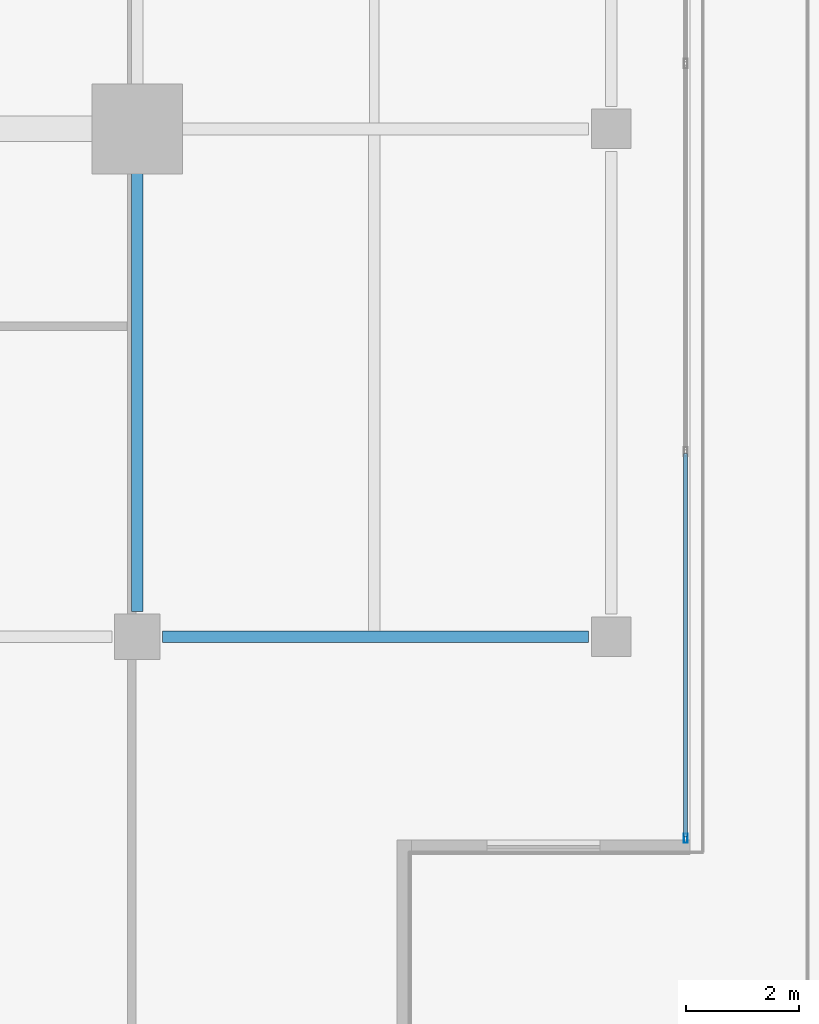
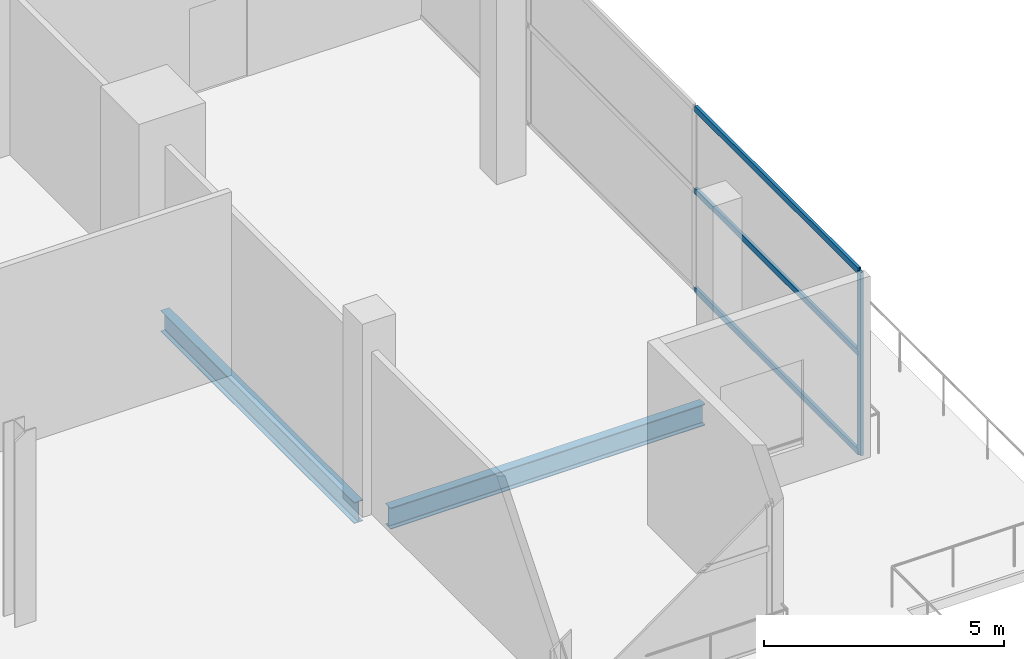
# One storey, part 11 of 28: 4 members, 2 beams, 1 element without a shape of its own.
"""IFC4 building model written with IfcOpenShell, lengths in metres."""

from ifc_helpers import new_model, si_unit, direction, frame, origin, origin_2d, place, context, subcontext, project, spatial, hollow_rectangle, i_section, extrude, material, layer, layer_set, material_profile, profile_set, type_object, element, aggregate, save


model = new_model("IFC4")

# Units and contexts
model_context = context("Model", 3, precision=1e-05, world=origin(), true_north=direction((0.0, 1.0)))
body_context = subcontext(model_context, "Body", "Model", "MODEL_VIEW")
ifc_project = project(units=[si_unit("LENGTHUNIT", "METRE"), si_unit("AREAUNIT", "SQUARE_METRE"), si_unit("VOLUMEUNIT", "CUBIC_METRE"), si_unit("PLANEANGLEUNIT", "RADIAN"), si_unit("MASSUNIT", "GRAM", prefix="KILO")], contexts=[model_context])

# Site, building, storey
site_placement = place(None, origin())
site = spatial("IfcSite", under=ifc_project, at=site_placement, CompositionType="ELEMENT")
building_placement = place(site_placement, origin())
building = spatial("IfcBuilding", under=site, at=building_placement, Name="Maruvema Waterfront Hotel and Observation Tower", CompositionType="ELEMENT")
storey_placement = place(building_placement, frame((0.0, 0.0, 234.5)))
storey = spatial("IfcBuildingStorey", under=building, at=storey_placement, Name="L57", CompositionType="ELEMENT", Elevation=234.5)

# Curtain wall, members
ifc_material_1 = material(Name="Anodised bronze aluminium and solar-control low-E IGU", Category="aluminium")
ifc_layer = layer(ifc_material_1, 0.159912109375, Name="Zone 3 Champagne Inner Thermal Curtain Wall System CW-04")
ifc_layer_set = layer_set([ifc_layer], Name="Anodised bronze aluminium and solar-control low-E IGU")
curtain_wall_type = type_object("IfcCurtainWallType", Name="Zone 3 Champagne Inner Thermal Curtain Wall System CW-04", PredefinedType="USERDEFINED", material=ifc_layer_set)
curtain_wall_placement = place(storey_placement, origin())
curtain_wall = element("IfcCurtainWall", 1, at=curtain_wall_placement, inside=storey, type_object=curtain_wall_type, Name="L57 Curtain Wall CW-L57-E", ObjectType="UNITISED CURTAIN WALL", PredefinedType="USERDEFINED")
ifc_material_2 = material(Name="Anodised architectural bronze aluminium", Category="aluminium")
ifc_material_profile_1 = material_profile(ifc_material_2, hollow_rectangle(XDim=0.070068359375, YDim=0.14990234375, WallThickness=0.00390625, at=origin_2d()), Name="ALU-T70x150")
ifc_profile_set_1 = profile_set([ifc_material_profile_1], Name="Anodised architectural bronze aluminium")
member_type_1 = type_object("IfcMemberType", Name="Curtain Wall Horizontal Transom ALU-T70x150", PredefinedType="USERDEFINED", material=ifc_profile_set_1)
member_1_placement = place(storey_placement, frame((60.1201171875, 14.4599609375, 0.030029296875), z_axis=(0.0, 1.0, 0.0), x_axis=(-1.0, 0.0, 0.0)))
member_1 = element("IfcMember", 2, at=member_1_placement, type_object=member_type_1, Name="CW-04 transom 1.1", ObjectType="TRANSOM", PredefinedType="USERDEFINED", context=body_context, shape_type="SweptSolid", body=[
    extrude(hollow_rectangle(XDim=0.070068359375, YDim=0.14990234375, WallThickness=0.00390625, at=origin_2d()), origin(), (0.0, 0.0, 1.0), 6.7900390625),
])
member_2_placement = place(storey_placement, frame((60.1201171875, 14.4599609375, 2.550048828125), z_axis=(0.0, 1.0, 0.0), x_axis=(-1.0, 0.0, 0.0)))
member_2 = element("IfcMember", 3, at=member_2_placement, type_object=member_type_1, Name="CW-04 transom 1.2", ObjectType="TRANSOM", PredefinedType="USERDEFINED", context=body_context, shape_type="SweptSolid", body=[
    extrude(hollow_rectangle(XDim=0.070068359375, YDim=0.14990234375, WallThickness=0.00390625, at=origin_2d()), origin(), (0.0, 0.0, 1.0), 6.7900390625),
])
member_3_placement = place(storey_placement, frame((60.1201171875, 14.4599609375, 4.6298828125), z_axis=(0.0, 1.0, 0.0), x_axis=(-1.0, 0.0, 0.0)))
member_3 = element("IfcMember", 4, at=member_3_placement, type_object=member_type_1, Name="CW-04 transom 1.3", ObjectType="TRANSOM", PredefinedType="USERDEFINED", context=body_context, shape_type="SweptSolid", body=[
    extrude(hollow_rectangle(XDim=0.070068359375, YDim=0.14990234375, WallThickness=0.00390625, at=origin_2d()), origin(), (0.0, 0.0, 1.0), 6.7900390625),
])
ifc_material_3 = material(Name="Anodised architectural bronze aluminium", Category="aluminium")
ifc_material_profile_2 = material_profile(ifc_material_3, hollow_rectangle(XDim=0.06494140625, YDim=0.1650390625, WallThickness=0.00390625, at=origin_2d()), Name="ALU-M65x165")
ifc_profile_set_2 = profile_set([ifc_material_profile_2], Name="Anodised architectural bronze aluminium")
member_type_2 = type_object("IfcMemberType", Name="Curtain Wall Primary Mullion ALU-M65x165", PredefinedType="MULLION", material=ifc_profile_set_2)
member_4_placement = place(storey_placement, frame((60.1201171875, 14.429931640625, 0.0), z_axis=(0.0, 0.0, 1.0), x_axis=(-1.0, 0.0, 0.0)))
member_4 = element("IfcMember", 5, at=member_4_placement, type_object=member_type_2, Name="CW-04 mullion 1", PredefinedType="MULLION", context=body_context, shape_type="SweptSolid", body=[
    extrude(hollow_rectangle(XDim=0.06494140625, YDim=0.1650390625, WallThickness=0.00390625, at=origin_2d()), origin(), (0.0, 0.0, 1.0), 4.659912109375),
])
aggregate(curtain_wall, [member_4, member_1, member_2, member_3])

# Beams
ifc_material_4 = material(Name="Steel ASTM A572 Grade 50", Category="steel")
ifc_material_profile_3 = material_profile(ifc_material_4, i_section(OverallWidth=0.2109375, OverallDepth=0.5390625, WebThickness=0.01171875, FlangeThickness=0.018798828125, FilletRadius=0.014892578125, at=origin_2d()), Name="W530x109.0")
ifc_profile_set_3 = profile_set([ifc_material_profile_3], Name="Steel ASTM A572 Grade 50")
beam_type = type_object("IfcBeamType", Name="Primary Floor Girder W530x109.0", PredefinedType="BEAM", material=ifc_profile_set_3)
beam_1_placement = place(storey_placement, frame((50.85009765625, 18.0, -0.509521484375), z_axis=(1.0, 0.0, 0.0), x_axis=(0.0, 1.0, 0.0)))
element("IfcBeam", 6, at=beam_1_placement, inside=storey, type_object=beam_type, Name="L57 Floor Girder EW-05", PredefinedType="BEAM", context=body_context, shape_type="SweptSolid", body=[
    extrude(i_section(OverallWidth=0.2109375, OverallDepth=0.5390625, WebThickness=0.01171875, FlangeThickness=0.018798828125, FilletRadius=0.014892578125, at=origin_2d()), origin(), (0.0, 0.0, 1.0), 7.5498046875),
])
beam_2_placement = place(storey_placement, frame((50.39990234375, 18.449951171875, -0.509521484375), z_axis=(0.0, 1.0, 0.0), x_axis=(-1.0, 0.0, 0.0)))
element("IfcBeam", 7, at=beam_2_placement, inside=storey, type_object=beam_type, Name="L57 Floor Girder NS-09", PredefinedType="BEAM", context=body_context, shape_type="SweptSolid", body=[
    extrude(i_section(OverallWidth=0.2109375, OverallDepth=0.5390625, WebThickness=0.01171875, FlangeThickness=0.018798828125, FilletRadius=0.014892578125, at=origin_2d()), origin(), (0.0, 0.0, 1.0), 8.050048828125),
])

save(model, "model.ifc")
